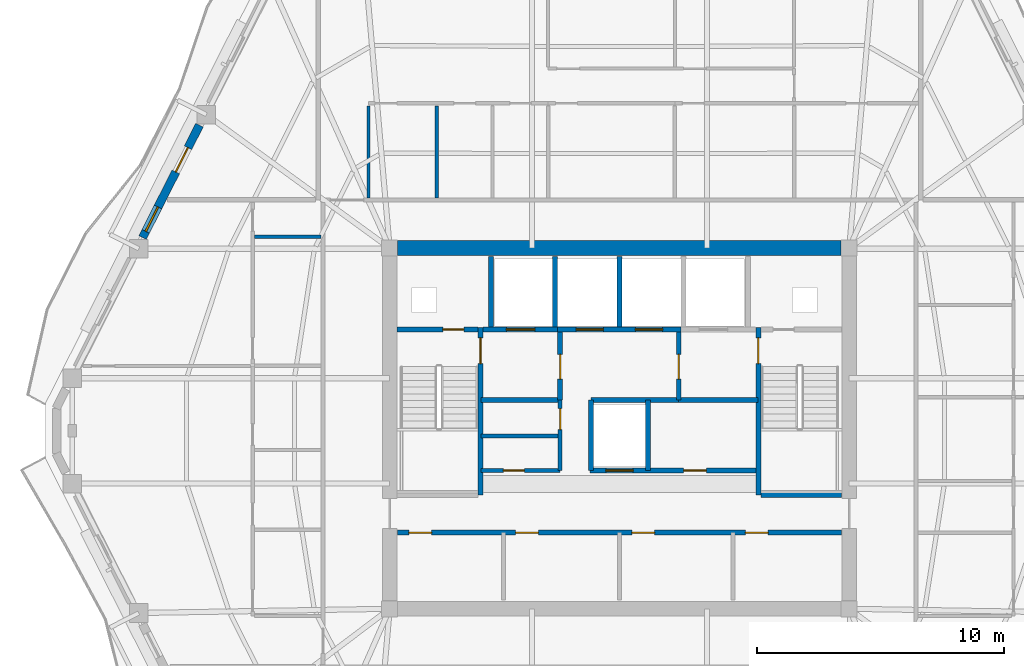
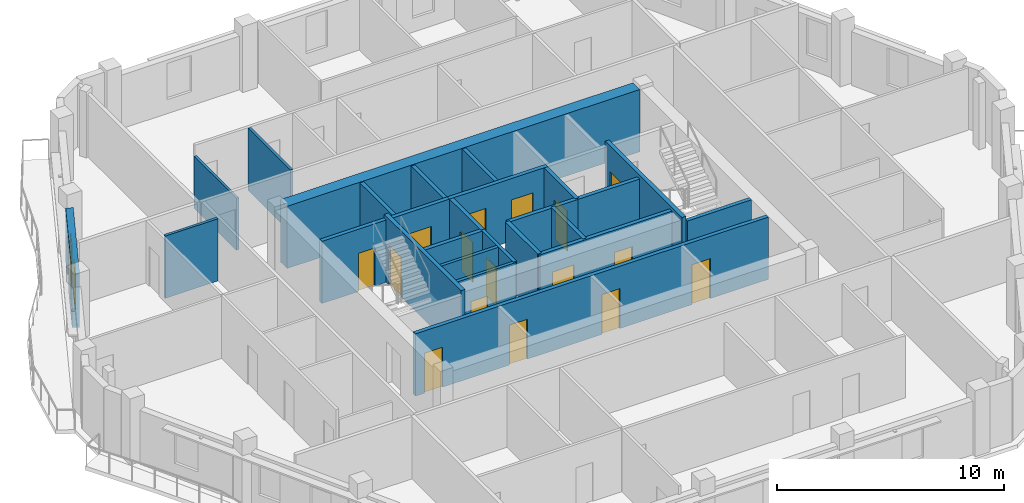
# One storey, part 5 of 12: 26 walls, 17 doors, 1 window, 18 openings.
"""IFC4 building model written with IfcOpenShell, lengths in metres."""

from ifc_helpers import new_model, si_unit, direction, frame, frame_2d, origin, place, context, subcontext, project, spatial, rectangle, extrude, material, layer, layer_set, type_object, element, fill, save


model = new_model("IFC4")

# Units and contexts
model_context = context("Model", 3, precision=1e-05, world=origin(), true_north=direction((0.0, 1.0)))
body_context = subcontext(model_context, "Body", "Model", "MODEL_VIEW")
ifc_project = project(units=[si_unit("LENGTHUNIT", "METRE"), si_unit("AREAUNIT", "SQUARE_METRE"), si_unit("VOLUMEUNIT", "CUBIC_METRE"), si_unit("PLANEANGLEUNIT", "RADIAN"), si_unit("MASSUNIT", "GRAM", prefix="KILO")], contexts=[model_context])

# Site, building, storey
site_placement = place(None, origin())
site = spatial("IfcSite", under=ifc_project, at=site_placement, CompositionType="ELEMENT")
building_placement = place(site_placement, origin())
building = spatial("IfcBuilding", under=site, at=building_placement, Name="Cinnabar Lancet Tower", CompositionType="ELEMENT")
storey_placement = place(building_placement, frame((0.0, 0.0, 210.949951171875)))
storey = spatial("IfcBuildingStorey", under=building, at=storey_placement, Name="L56", CompositionType="ELEMENT", Elevation=210.949951171875)

# Wall, opening, door
ifc_material_1 = material(Name="Acoustic twin-stud gypsum partition", Category="gypsum")
ifc_layer_1 = layer(ifc_material_1, 0.159912109375)
ifc_layer_set_1 = layer_set([ifc_layer_1], Name="Acoustic twin-stud gypsum partition")
wall_type_1 = type_object("IfcWallType", Name="ARC-WL-CORR-160", PredefinedType="PARTITIONING", material=ifc_layer_set_1)
wall_1_placement = place(storey_placement, frame((26.800048828125, 24.199951171875, 0.0), z_axis=(0.0, 0.0, 1.0), x_axis=(1.0, 0.0, 0.0)))
wall_1 = element("IfcWall", 1, at=wall_1_placement, inside=storey, type_object=wall_type_1, Name="CW-REC5S-L56", PredefinedType="PARTITIONING", context=body_context, shape_type="SweptSolid", body=[
    extrude(rectangle(XDim=3.199951171875, YDim=0.159912109375, at=frame_2d((1.60009765625, 0.0))), origin(), (0.0, 0.0, 1.0), 3.35009765625),
])
opening_1_placement = place(wall_1_placement, frame((0.89990234375, 0.0, 0.0)))
opening_1 = element("IfcOpeningElement", 2, at=opening_1_placement, cuts=wall_1, Name="Opening PD-02", PredefinedType="OPENING", context=body_context, shape_type="SweptSolid", body=[
    extrude(rectangle(XDim=0.85009765625, YDim=2.050048828125, at=frame_2d((0.425048828125, 1.02490234375))), frame((0.0, 0.08984375, 0.0), z_axis=(0.0, -1.0, 0.0), x_axis=(1.0, 0.0, 0.0)), (0.0, 0.0, 1.0), 0.179931640625),
])
ifc_material_2 = material(Name="Fire-rated steel riser access door", Category="steel")
door_type_1 = type_object("IfcDoorType", Name="ARC-DR-RISER", OperationType="NOTDEFINED", PredefinedType="DOOR", material=ifc_material_2)
door_1_placement = place(opening_1_placement, origin())
door_1 = element("IfcDoor", 3, at=door_1_placement, inside=storey, type_object=door_type_1, Name="DR-L56-REC5S", OperationType="SINGLE_SWING_LEFT", OverallHeight=2.050048828125, OverallWidth=0.85009765625, PredefinedType="DOOR", context=body_context, shape_type="SweptSolid", body=[
    extrude(rectangle(XDim=0.85009765625, YDim=2.050048828125, at=frame_2d((0.425048828125, 1.02490234375))), frame((0.0, 0.02490234375, 0.0), z_axis=(0.0, -1.0, 0.0), x_axis=(1.0, 0.0, 0.0)), (0.0, 0.0, 1.0), 0.050048828125),
])
fill(opening_1, door_1)

wall_2_placement = place(storey_placement, frame((30.0, 24.199951171875, 0.0), z_axis=(0.0, 0.0, 1.0), x_axis=(0.0, 1.0, 0.0)))
wall_2 = element("IfcWall", 4, at=wall_2_placement, inside=storey, type_object=wall_type_1, Name="CW-REC5E-L56", PredefinedType="PARTITIONING", context=body_context, shape_type="SweptSolid", body=[
    extrude(rectangle(XDim=2.85009765625, YDim=0.159912109375, at=frame_2d((1.425048828125, 0.0))), origin(), (0.0, 0.0, 1.0), 3.35009765625),
])
opening_2_placement = place(wall_2_placement, frame((1.64990234375, 0.0, 0.0)))
opening_2 = element("IfcOpeningElement", 5, at=opening_2_placement, cuts=wall_2, Name="Opening PD-02", PredefinedType="OPENING", context=body_context, shape_type="SweptSolid", body=[
    extrude(rectangle(XDim=0.85009765625, YDim=2.050048828125, at=frame_2d((0.425048828125, 1.02490234375))), frame((0.0, 0.08984375, 0.0), z_axis=(0.0, -1.0, 0.0), x_axis=(1.0, 0.0, 0.0)), (0.0, 0.0, 1.0), 0.179931640625),
])
door_2_placement = place(opening_2_placement, origin())
door_2 = element("IfcDoor", 6, at=door_2_placement, inside=storey, type_object=door_type_1, Name="DR-L56-REC5N", OperationType="SINGLE_SWING_RIGHT", OverallHeight=2.050048828125, OverallWidth=0.85009765625, PredefinedType="DOOR", context=body_context, shape_type="SweptSolid", body=[
    extrude(rectangle(XDim=0.85009765625, YDim=2.050048828125, at=frame_2d((0.425048828125, 1.02490234375))), frame((0.0, 0.02490234375, 0.0), z_axis=(0.0, -1.0, 0.0), x_axis=(1.0, 0.0, 0.0)), (0.0, 0.0, 1.0), 0.050048828125),
])
fill(opening_2, door_2)

# Walls
wall_3_placement = place(storey_placement, frame((26.800048828125, 25.60009765625, 0.0), z_axis=(0.0, 0.0, 1.0), x_axis=(1.0, 0.0, 0.0)))
element("IfcWall", 7, at=wall_3_placement, inside=storey, type_object=wall_type_1, Name="CW-REC5HZ-L56", PredefinedType="PARTITIONING", context=body_context, shape_type="SweptSolid", body=[
    extrude(rectangle(XDim=3.199951171875, YDim=0.159912109375, at=frame_2d((1.60009765625, 0.0))), origin(), (0.0, 0.0, 1.0), 3.35009765625),
])
ifc_material_3 = material(Name="Autoclaved aerated concrete blockwork", Category="masonry")
ifc_layer_2 = layer(ifc_material_3, 0.199951171875)
ifc_layer_set_2 = layer_set([ifc_layer_2], Name="Autoclaved aerated concrete blockwork")
wall_type_2 = type_object("IfcWallType", Name="ARC-WL-SHAFT-200", PredefinedType="PLUMBINGWALL", material=ifc_layer_set_2)
wall_4_placement = place(storey_placement, frame((38.125, 23.199951171875, 0.0), z_axis=(0.0, 0.0, 1.0), x_axis=(1.0, 0.0, 0.0)))
element("IfcWall", 8, at=wall_4_placement, inside=storey, type_object=wall_type_2, Name="CW-ST2S-L56", PredefinedType="PLUMBINGWALL", context=body_context, shape_type="SweptSolid", body=[
    extrude(rectangle(XDim=3.27001953125, YDim=0.199951171875, at=frame_2d((1.635009765625, 0.0))), origin(), (0.0, 0.0, 1.0), 3.35009765625),
])

# Wall, opening, door
wall_5_placement = place(storey_placement, frame((23.405029296875, 29.89990234375, 0.0), z_axis=(0.0, 0.0, 1.0), x_axis=(1.0, 0.0, 0.0)))
wall_5 = element("IfcWall", 9, at=wall_5_placement, inside=storey, type_object=wall_type_2, Name="CW-NSH-W-L56", PredefinedType="PLUMBINGWALL", context=body_context, shape_type="SweptSolid", body=[
    extrude(rectangle(XDim=3.27001953125, YDim=0.199951171875, at=frame_2d((1.635009765625, 0.0))), origin(), (0.0, 0.0, 1.0), 3.35009765625),
])
opening_3_placement = place(wall_5_placement, frame((1.85009765625, 0.0, 0.0)))
opening_3 = element("IfcOpeningElement", 10, at=opening_3_placement, cuts=wall_5, Name="Opening PD-02", PredefinedType="OPENING", context=body_context, shape_type="SweptSolid", body=[
    extrude(rectangle(XDim=0.85009765625, YDim=2.050048828125, at=frame_2d((0.425048828125, 1.02490234375))), frame((0.0, 0.10986328125, 0.0), z_axis=(0.0, -1.0, 0.0), x_axis=(1.0, 0.0, 0.0)), (0.0, 0.0, 1.0), 0.219970703125),
])
door_3_placement = place(opening_3_placement, origin())
door_3 = element("IfcDoor", 11, at=door_3_placement, inside=storey, type_object=door_type_1, Name="L56 West Riser Access Door", OperationType="SINGLE_SWING_LEFT", OverallHeight=2.050048828125, OverallWidth=0.85009765625, PredefinedType="DOOR", context=body_context, shape_type="SweptSolid", body=[
    extrude(rectangle(XDim=0.85009765625, YDim=2.050048828125, at=frame_2d((0.425048828125, 1.02490234375))), frame((0.0, 0.02490234375, 0.0), z_axis=(0.0, -1.0, 0.0), x_axis=(1.0, 0.0, 0.0)), (0.0, 0.0, 1.0), 0.050048828125),
])
fill(opening_3, door_3)

wall_6_placement = place(storey_placement, frame((26.885009765625, 29.89990234375, 0.0), z_axis=(0.0, 0.0, 1.0), x_axis=(1.0, 0.0, 0.0)))
wall_6 = element("IfcWall", 12, at=wall_6_placement, inside=storey, type_object=wall_type_2, Name="CW-FL1-L56", PredefinedType="PLUMBINGWALL", context=body_context, shape_type="SweptSolid", body=[
    extrude(rectangle(XDim=3.014892578125, YDim=0.199951171875, at=frame_2d((1.50732421875, 0.0))), origin(), (0.0, 0.0, 1.0), 3.35009765625),
])
opening_4_placement = place(wall_6_placement, frame((0.93994140625, 0.0, 0.0)))
opening_4 = element("IfcOpeningElement", 13, at=opening_4_placement, cuts=wall_6, Name="Opening LD-02", PredefinedType="OPENING", context=body_context, shape_type="SweptSolid", body=[
    extrude(rectangle(XDim=1.14990234375, YDim=2.199951171875, at=frame_2d((0.574951171875, 1.10009765625))), frame((0.0, 0.10986328125, 0.0), z_axis=(0.0, -1.0, 0.0), x_axis=(1.0, 0.0, 0.0)), (0.0, 0.0, 1.0), 0.219970703125),
])
ifc_material_4 = material(Name="Fire-rated stainless steel firefighting lift landing door", Category="steel")
door_type_2 = type_object("IfcDoorType", Name="ARC-DR-LD-FIRE", OperationType="NOTDEFINED", PredefinedType="DOOR", material=ifc_material_4)
door_4_placement = place(opening_4_placement, origin())
door_4 = element("IfcDoor", 14, at=door_4_placement, inside=storey, type_object=door_type_2, Name="L56 Firefighting Lift FL-1 Landing Door", OperationType="DOUBLE_DOOR_SLIDING", OverallHeight=2.199951171875, OverallWidth=1.14990234375, PredefinedType="DOOR", context=body_context, shape_type="SweptSolid", body=[
    extrude(rectangle(XDim=1.14990234375, YDim=2.199951171875, at=frame_2d((0.574951171875, 1.10009765625))), frame((0.0, 0.02490234375, 0.0), z_axis=(0.0, -1.0, 0.0), x_axis=(1.0, 0.0, 0.0)), (0.0, 0.0, 1.0), 0.050048828125),
])
fill(opening_4, door_4)

# Wall, openings, doors
wall_7_placement = place(storey_placement, frame((29.89990234375, 29.89990234375, 0.0), z_axis=(0.0, 0.0, 1.0), x_axis=(1.0, 0.0, 0.0)))
wall_7 = element("IfcWall", 15, at=wall_7_placement, inside=storey, type_object=wall_type_2, Name="CW-PL78-L56", PredefinedType="PLUMBINGWALL", context=body_context, shape_type="SweptSolid", body=[
    extrude(rectangle(XDim=5.0, YDim=0.199951171875, at=frame_2d((2.5, 0.0))), origin(), (0.0, 0.0, 1.0), 3.35009765625),
])
opening_5_placement = place(wall_7_placement, frame((0.75, 0.0, 0.0)))
opening_5 = element("IfcOpeningElement", 16, at=opening_5_placement, cuts=wall_7, Name="Opening LD-01", PredefinedType="OPENING", context=body_context, shape_type="SweptSolid", body=[
    extrude(rectangle(XDim=1.10009765625, YDim=2.199951171875, at=frame_2d((0.550048828125, 1.10009765625))), frame((0.0, 0.10986328125, 0.0), z_axis=(0.0, -1.0, 0.0), x_axis=(1.0, 0.0, 0.0)), (0.0, 0.0, 1.0), 0.219970703125),
])
opening_6_placement = place(wall_7_placement, frame((3.14990234375, 0.0, 0.0)))
opening_6 = element("IfcOpeningElement", 17, at=opening_6_placement, cuts=wall_7, Name="Opening LD-01", PredefinedType="OPENING", context=body_context, shape_type="SweptSolid", body=[
    extrude(rectangle(XDim=1.10009765625, YDim=2.199951171875, at=frame_2d((0.550048828125, 1.10009765625))), frame((0.0, 0.10986328125, 0.0), z_axis=(0.0, -1.0, 0.0), x_axis=(1.0, 0.0, 0.0)), (0.0, 0.0, 1.0), 0.219970703125),
])
ifc_material_5 = material(Name="Brushed stainless steel sliding lift door", Category="steel")
door_type_3 = type_object("IfcDoorType", Name="ARC-DR-LD-PASS", OperationType="NOTDEFINED", PredefinedType="DOOR", material=ifc_material_5)
door_5_placement = place(opening_5_placement, origin())
door_5 = element("IfcDoor", 18, at=door_5_placement, inside=storey, type_object=door_type_3, Name="L56 Lift PL-7 Landing Door", OperationType="DOUBLE_DOOR_SLIDING", OverallHeight=2.199951171875, OverallWidth=1.10009765625, PredefinedType="DOOR", context=body_context, shape_type="SweptSolid", body=[
    extrude(rectangle(XDim=1.10009765625, YDim=2.199951171875, at=frame_2d((0.550048828125, 1.10009765625))), frame((0.0, 0.02490234375, 0.0), z_axis=(0.0, -1.0, 0.0), x_axis=(1.0, 0.0, 0.0)), (0.0, 0.0, 1.0), 0.050048828125),
])
fill(opening_5, door_5)
door_6_placement = place(opening_6_placement, origin())
door_6 = element("IfcDoor", 19, at=door_6_placement, inside=storey, type_object=door_type_3, Name="L56 Lift PL-8 Landing Door", OperationType="DOUBLE_DOOR_SLIDING", OverallHeight=2.199951171875, OverallWidth=1.10009765625, PredefinedType="DOOR", context=body_context, shape_type="SweptSolid", body=[
    extrude(rectangle(XDim=1.10009765625, YDim=2.199951171875, at=frame_2d((0.550048828125, 1.10009765625))), frame((0.0, 0.02490234375, 0.0), z_axis=(0.0, -1.0, 0.0), x_axis=(1.0, 0.0, 0.0)), (0.0, 0.0, 1.0), 0.050048828125),
])
fill(opening_6, door_6)

# Walls
for number, where, z_axis, x_axis, name in (
    (20, (27.199951171875, 30.0, 0.0), (0.0, 0.0, 1.0), (0.0, 1.0, 0.0), "CW-NSH-D1-L56"),
    (21, (29.800048828125, 30.0, 0.0), (0.0, 0.0, 1.0), (0.0, 1.0, 0.0), "CW-NSH-D2-L56"),
    (22, (32.39990234375, 30.0, 0.0), (0.0, 0.0, 1.0), (0.0, 1.0, 0.0), "CW-NSH-D3-L56"),
):
    element("IfcWall", number, at=place(storey_placement, frame(where, z_axis=z_axis, x_axis=x_axis)), inside=storey, type_object=wall_type_2, Name=name, PredefinedType="PLUMBINGWALL", context=body_context, shape_type="SweptSolid", body=[
        extrude(rectangle(XDim=2.85009765625, YDim=0.199951171875, at=frame_2d((1.425048828125, 0.0))), origin(), (0.0, 0.0, 1.0), 3.35009765625),
    ])

# Wall, opening, door
wall_8_placement = place(storey_placement, frame((30.0, 27.050048828125, 0.0), z_axis=(0.0, 0.0, 1.0), x_axis=(0.0, 1.0, 0.0)))
wall_8 = element("IfcWall", 23, at=wall_8_placement, inside=storey, type_object=wall_type_2, Name="CW-FF1E-L56", PredefinedType="PLUMBINGWALL", context=body_context, shape_type="SweptSolid", body=[
    extrude(rectangle(XDim=2.75, YDim=0.199951171875, at=frame_2d((1.375, 0.0))), origin(), (0.0, 0.0, 1.0), 3.35009765625),
])
opening_7_placement = place(wall_8_placement, frame((0.85009765625, 0.0, 0.0)))
opening_7 = element("IfcOpeningElement", 24, at=opening_7_placement, cuts=wall_8, Name="Opening FD-01", PredefinedType="OPENING", context=body_context, shape_type="SweptSolid", body=[
    extrude(rectangle(XDim=1.0, YDim=2.14990234375, at=frame_2d((0.5, 1.074951171875))), frame((0.0, 0.10986328125, 0.0), z_axis=(0.0, -1.0, 0.0), x_axis=(1.0, 0.0, 0.0)), (0.0, 0.0, 1.0), 0.219970703125),
])
ifc_material_6 = material(Name="Fire-rated timber-core lobby door", Category="wood")
door_type_4 = type_object("IfcDoorType", Name="ARC-DR-FFAL", OperationType="NOTDEFINED", PredefinedType="DOOR", material=ifc_material_6)
door_7_placement = place(opening_7_placement, origin())
door_7 = element("IfcDoor", 25, at=door_7_placement, inside=storey, type_object=door_type_4, Name="L56 FFAL-1 Lobby Fire Door", OperationType="SINGLE_SWING_RIGHT", OverallHeight=2.14990234375, OverallWidth=1.0, PredefinedType="DOOR", context=body_context, shape_type="SweptSolid", body=[
    extrude(rectangle(XDim=1.0, YDim=2.14990234375, at=frame_2d((0.5, 1.074951171875))), frame((0.0, 0.02490234375, 0.0), z_axis=(0.0, -1.0, 0.0), x_axis=(1.0, 0.0, 0.0)), (0.0, 0.0, 1.0), 0.050048828125),
])
fill(opening_7, door_7)

# Wall
wall_9_placement = place(storey_placement, frame((26.800048828125, 27.050048828125, 0.0), z_axis=(0.0, 0.0, 1.0), x_axis=(1.0, 0.0, 0.0)))
element("IfcWall", 26, at=wall_9_placement, inside=storey, type_object=wall_type_2, Name="CW-FF1S-L56", PredefinedType="PLUMBINGWALL", context=body_context, shape_type="SweptSolid", body=[
    extrude(rectangle(XDim=3.199951171875, YDim=0.199951171875, at=frame_2d((1.60009765625, 0.0))), origin(), (0.0, 0.0, 1.0), 3.35009765625),
])

# Wall, opening, door
wall_10_placement = place(storey_placement, frame((34.800048828125, 27.050048828125, 0.0), z_axis=(0.0, 0.0, 1.0), x_axis=(0.0, 1.0, 0.0)))
wall_10 = element("IfcWall", 27, at=wall_10_placement, inside=storey, type_object=wall_type_2, Name="CW-FF2W-L56", PredefinedType="PLUMBINGWALL", context=body_context, shape_type="SweptSolid", body=[
    extrude(rectangle(XDim=2.75, YDim=0.199951171875, at=frame_2d((1.375, 0.0))), origin(), (0.0, 0.0, 1.0), 3.35009765625),
])
opening_8_placement = place(wall_10_placement, frame((0.85009765625, 0.0, 0.0)))
opening_8 = element("IfcOpeningElement", 28, at=opening_8_placement, cuts=wall_10, Name="Opening FD-01", PredefinedType="OPENING", context=body_context, shape_type="SweptSolid", body=[
    extrude(rectangle(XDim=1.0, YDim=2.14990234375, at=frame_2d((0.5, 1.074951171875))), frame((0.0, 0.10986328125, 0.0), z_axis=(0.0, -1.0, 0.0), x_axis=(1.0, 0.0, 0.0)), (0.0, 0.0, 1.0), 0.219970703125),
])
door_8_placement = place(opening_8_placement, origin())
door_8 = element("IfcDoor", 29, at=door_8_placement, inside=storey, type_object=door_type_4, Name="L56 FFAL-2 Lobby Fire Door", OperationType="SINGLE_SWING_LEFT", OverallHeight=2.14990234375, OverallWidth=1.0, PredefinedType="DOOR", context=body_context, shape_type="SweptSolid", body=[
    extrude(rectangle(XDim=1.0, YDim=2.14990234375, at=frame_2d((0.5, 1.074951171875))), frame((0.0, 0.02490234375, 0.0), z_axis=(0.0, -1.0, 0.0), x_axis=(1.0, 0.0, 0.0)), (0.0, 0.0, 1.0), 0.050048828125),
])
fill(opening_8, door_8)

# Wall
wall_11_placement = place(storey_placement, frame((34.800048828125, 27.050048828125, 0.0), z_axis=(0.0, 0.0, 1.0), x_axis=(1.0, 0.0, 0.0)))
element("IfcWall", 30, at=wall_11_placement, inside=storey, type_object=wall_type_2, Name="CW-FF2S-L56", PredefinedType="PLUMBINGWALL", context=body_context, shape_type="SweptSolid", body=[
    extrude(rectangle(XDim=3.199951171875, YDim=0.199951171875, at=frame_2d((1.60009765625, 0.0))), origin(), (0.0, 0.0, 1.0), 3.35009765625),
])

# Wall, openings, doors
wall_12_placement = place(storey_placement, frame((31.199951171875, 24.199951171875, 0.0), z_axis=(0.0, 0.0, 1.0), x_axis=(1.0, 0.0, 0.0)))
wall_12 = element("IfcWall", 31, at=wall_12_placement, inside=storey, type_object=wall_type_2, Name="CW-PL96S-L56", PredefinedType="PLUMBINGWALL", context=body_context, shape_type="SweptSolid", body=[
    extrude(rectangle(XDim=6.800048828125, YDim=0.199951171875, at=frame_2d((3.39990234375, 0.0))), origin(), (0.0, 0.0, 1.0), 3.35009765625),
])
opening_9_placement = place(wall_12_placement, frame((0.64990234375, 0.0, 0.0)))
opening_9 = element("IfcOpeningElement", 32, at=opening_9_placement, cuts=wall_12, Name="Opening LD-01", PredefinedType="OPENING", context=body_context, shape_type="SweptSolid", body=[
    extrude(rectangle(XDim=1.10009765625, YDim=2.199951171875, at=frame_2d((0.550048828125, 1.10009765625))), frame((0.0, 0.10986328125, 0.0), z_axis=(0.0, -1.0, 0.0), x_axis=(1.0, 0.0, 0.0)), (0.0, 0.0, 1.0), 0.219970703125),
])
opening_10_placement = place(wall_12_placement, frame((3.800048828125, 0.0, 0.0)))
opening_10 = element("IfcOpeningElement", 33, at=opening_10_placement, cuts=wall_12, Name="Opening RD-01", PredefinedType="OPENING", context=body_context, shape_type="SweptSolid", body=[
    extrude(rectangle(XDim=0.919921875, YDim=2.14990234375, at=frame_2d((0.4599609375, 1.074951171875))), frame((0.0, 0.10986328125, 0.0), z_axis=(0.0, -1.0, 0.0), x_axis=(1.0, 0.0, 0.0)), (0.0, 0.0, 1.0), 0.219970703125),
])
door_9_placement = place(opening_9_placement, origin())
door_9 = element("IfcDoor", 34, at=door_9_placement, inside=storey, type_object=door_type_3, Name="L56 Lift PL-9 Landing Door", OperationType="DOUBLE_DOOR_SLIDING", OverallHeight=2.199951171875, OverallWidth=1.10009765625, PredefinedType="DOOR", context=body_context, shape_type="SweptSolid", body=[
    extrude(rectangle(XDim=1.10009765625, YDim=2.199951171875, at=frame_2d((0.550048828125, 1.10009765625))), frame((0.0, 0.02490234375, 0.0), z_axis=(0.0, -1.0, 0.0), x_axis=(1.0, 0.0, 0.0)), (0.0, 0.0, 1.0), 0.050048828125),
])
fill(opening_9, door_9)
ifc_material_7 = material(Name="Engineered timber bedroom door", Category="wood")
door_type_5 = type_object("IfcDoorType", Name="ARC-DR-ROOM", OperationType="NOTDEFINED", PredefinedType="DOOR", material=ifc_material_7)
door_10_placement = place(opening_10_placement, origin())
door_10 = element("IfcDoor", 35, at=door_10_placement, inside=storey, type_object=door_type_5, Name="DR-L56-REC6", OperationType="SINGLE_SWING_RIGHT", OverallHeight=2.14990234375, OverallWidth=0.919921875, PredefinedType="DOOR", context=body_context, shape_type="SweptSolid", body=[
    extrude(rectangle(XDim=0.919921875, YDim=2.14990234375, at=frame_2d((0.4599609375, 1.074951171875))), frame((0.0, 0.02490234375, 0.0), z_axis=(0.0, -1.0, 0.0), x_axis=(1.0, 0.0, 0.0)), (0.0, 0.0, 1.0), 0.050048828125),
])
fill(opening_10, door_10)

# Walls
for number, where, z_axis, x_axis, name in (
    (36, (31.25, 24.199951171875, 0.0), (0.0, 0.0, 1.0), (0.0, 1.0, 0.0), "CW-PL9W-L56"),
    (37, (33.550048828125, 24.199951171875, 0.0), (0.0, 0.0, 1.0), (0.0, 1.0, 0.0), "CW-PL9E-L56"),
):
    element("IfcWall", number, at=place(storey_placement, frame(where, z_axis=z_axis, x_axis=x_axis)), inside=storey, type_object=wall_type_2, Name=name, PredefinedType="PLUMBINGWALL", context=body_context, shape_type="SweptSolid", body=[
        extrude(rectangle(XDim=2.85009765625, YDim=0.199951171875, at=frame_2d((1.425048828125, 0.0))), origin(), (0.0, 0.0, 1.0), 3.35009765625),
    ])
wall_13_placement = place(storey_placement, frame((31.25, 27.050048828125, 0.0), z_axis=(0.0, 0.0, 1.0), x_axis=(1.0, 0.0, 0.0)))
element("IfcWall", 38, at=wall_13_placement, inside=storey, type_object=wall_type_2, Name="CW-PL96N-L56", PredefinedType="PLUMBINGWALL", context=body_context, shape_type="SweptSolid", body=[
    extrude(rectangle(XDim=3.550048828125, YDim=0.199951171875, at=frame_2d((1.77490234375, 0.0))), origin(), (0.0, 0.0, 1.0), 3.35009765625),
])

# Wall, openings, doors
wall_14_placement = place(storey_placement, frame((23.419921875, 21.679931640625, 0.0), z_axis=(0.0, 0.0, 1.0), x_axis=(1.0, 0.0, 0.0)))
wall_14 = element("IfcWall", 39, at=wall_14_placement, inside=storey, type_object=wall_type_2, Name="CW-SBANDN-L56", PredefinedType="PLUMBINGWALL", context=body_context, shape_type="SweptSolid", body=[
    extrude(rectangle(XDim=17.9599609375, YDim=0.199951171875, at=frame_2d((8.97998046875, 0.0))), origin(), (0.0, 0.0, 1.0), 3.35009765625),
])
opening_11_placement = place(wall_14_placement, frame((0.4599609375, 0.0, 0.0)))
opening_11 = element("IfcOpeningElement", 40, at=opening_11_placement, cuts=wall_14, Name="Opening RD-01", PredefinedType="OPENING", context=body_context, shape_type="SweptSolid", body=[
    extrude(rectangle(XDim=0.919921875, YDim=2.14990234375, at=frame_2d((0.4599609375, 1.074951171875))), frame((0.0, 0.10986328125, 0.0), z_axis=(0.0, -1.0, 0.0), x_axis=(1.0, 0.0, 0.0)), (0.0, 0.0, 1.0), 0.219970703125),
])
opening_12_placement = place(wall_14_placement, frame((4.780029296875, 0.0, 0.0)))
opening_12 = element("IfcOpeningElement", 41, at=opening_12_placement, cuts=wall_14, Name="Opening RD-01", PredefinedType="OPENING", context=body_context, shape_type="SweptSolid", body=[
    extrude(rectangle(XDim=0.919921875, YDim=2.14990234375, at=frame_2d((0.4599609375, 1.074951171875))), frame((0.0, 0.10986328125, 0.0), z_axis=(0.0, -1.0, 0.0), x_axis=(1.0, 0.0, 0.0)), (0.0, 0.0, 1.0), 0.219970703125),
])
opening_13_placement = place(wall_14_placement, frame((9.47998046875, 0.0, 0.0)))
opening_13 = element("IfcOpeningElement", 42, at=opening_13_placement, cuts=wall_14, Name="Opening RD-01", PredefinedType="OPENING", context=body_context, shape_type="SweptSolid", body=[
    extrude(rectangle(XDim=0.919921875, YDim=2.14990234375, at=frame_2d((0.4599609375, 1.074951171875))), frame((0.0, 0.10986328125, 0.0), z_axis=(0.0, -1.0, 0.0), x_axis=(1.0, 0.0, 0.0)), (0.0, 0.0, 1.0), 0.219970703125),
])
opening_14_placement = place(wall_14_placement, frame((14.080078125, 0.0, 0.0)))
opening_14 = element("IfcOpeningElement", 43, at=opening_14_placement, cuts=wall_14, Name="Opening RD-01", PredefinedType="OPENING", context=body_context, shape_type="SweptSolid", body=[
    extrude(rectangle(XDim=0.919921875, YDim=2.14990234375, at=frame_2d((0.4599609375, 1.074951171875))), frame((0.0, 0.10986328125, 0.0), z_axis=(0.0, -1.0, 0.0), x_axis=(1.0, 0.0, 0.0)), (0.0, 0.0, 1.0), 0.219970703125),
])
door_11_placement = place(opening_11_placement, origin())
door_11 = element("IfcDoor", 44, at=door_11_placement, inside=storey, type_object=door_type_5, Name="DR-L56-HREC1", OperationType="SINGLE_SWING_LEFT", OverallHeight=2.14990234375, OverallWidth=0.919921875, PredefinedType="DOOR", context=body_context, shape_type="SweptSolid", body=[
    extrude(rectangle(XDim=0.919921875, YDim=2.14990234375, at=frame_2d((0.4599609375, 1.074951171875))), frame((0.0, 0.02490234375, 0.0), z_axis=(0.0, -1.0, 0.0), x_axis=(1.0, 0.0, 0.0)), (0.0, 0.0, 1.0), 0.050048828125),
])
fill(opening_11, door_11)
door_12_placement = place(opening_12_placement, origin())
door_12 = element("IfcDoor", 45, at=door_12_placement, inside=storey, type_object=door_type_5, Name="DR-L56-HREC2", OperationType="SINGLE_SWING_RIGHT", OverallHeight=2.14990234375, OverallWidth=0.919921875, PredefinedType="DOOR", context=body_context, shape_type="SweptSolid", body=[
    extrude(rectangle(XDim=0.919921875, YDim=2.14990234375, at=frame_2d((0.4599609375, 1.074951171875))), frame((0.0, 0.02490234375, 0.0), z_axis=(0.0, -1.0, 0.0), x_axis=(1.0, 0.0, 0.0)), (0.0, 0.0, 1.0), 0.050048828125),
])
fill(opening_12, door_12)
door_13_placement = place(opening_13_placement, origin())
door_13 = element("IfcDoor", 46, at=door_13_placement, inside=storey, type_object=door_type_5, Name="DR-L56-HREC3", OperationType="SINGLE_SWING_LEFT", OverallHeight=2.14990234375, OverallWidth=0.919921875, PredefinedType="DOOR", context=body_context, shape_type="SweptSolid", body=[
    extrude(rectangle(XDim=0.919921875, YDim=2.14990234375, at=frame_2d((0.4599609375, 1.074951171875))), frame((0.0, 0.02490234375, 0.0), z_axis=(0.0, -1.0, 0.0), x_axis=(1.0, 0.0, 0.0)), (0.0, 0.0, 1.0), 0.050048828125),
])
fill(opening_13, door_13)
door_14_placement = place(opening_14_placement, origin())
door_14 = element("IfcDoor", 47, at=door_14_placement, inside=storey, type_object=door_type_5, Name="DR-L56-HREC4", OperationType="SINGLE_SWING_RIGHT", OverallHeight=2.14990234375, OverallWidth=0.919921875, PredefinedType="DOOR", context=body_context, shape_type="SweptSolid", body=[
    extrude(rectangle(XDim=0.919921875, YDim=2.14990234375, at=frame_2d((0.4599609375, 1.074951171875))), frame((0.0, 0.02490234375, 0.0), z_axis=(0.0, -1.0, 0.0), x_axis=(1.0, 0.0, 0.0)), (0.0, 0.0, 1.0), 0.050048828125),
])
fill(opening_14, door_14)

# Walls
ifc_material_8 = material(Name="Gypsum plasterboard stud partition", Category="gypsum")
ifc_layer_3 = layer(ifc_material_8, 0.125)
ifc_layer_set_3 = layer_set([ifc_layer_3], Name="Gypsum plasterboard stud partition")
wall_type_3 = type_object("IfcWallType", Name="ARC-WL-UNIT-125", PredefinedType="PARTITIONING", material=ifc_layer_set_3)
wall_15_placement = place(storey_placement, frame((22.25, 35.235107421875, 0.0), z_axis=(0.0, 0.0, 1.0), x_axis=(0.0, 1.0, 0.0)))
element("IfcWall", 48, at=wall_15_placement, inside=storey, type_object=wall_type_3, Name="UW-L56-N01-FOYE", PredefinedType="PARTITIONING", context=body_context, shape_type="SweptSolid", body=[
    extrude(rectangle(XDim=3.721923828125, YDim=0.125, at=frame_2d((1.86083984375, 0.0))), origin(), (0.0, 0.0, 1.0), 2.80712890625),
])
ifc_material_9 = material(Name="Moisture-resistant cement-board plumbing wall", Category="masonry")
ifc_layer_4 = layer(ifc_material_9, 0.139892578125)
ifc_layer_set_4 = layer_set([ifc_layer_4], Name="Moisture-resistant cement-board plumbing wall")
wall_type_4 = type_object("IfcWallType", Name="ARC-WL-WET-140", PredefinedType="PLUMBINGWALL", material=ifc_layer_set_4)
wall_16_placement = place(storey_placement, frame((25.010009765625, 35.235107421875, 0.0), z_axis=(0.0, 0.0, 1.0), x_axis=(0.0, 1.0, 0.0)))
element("IfcWall", 49, at=wall_16_placement, inside=storey, type_object=wall_type_4, Name="UW-L56-N01-KDV", PredefinedType="PLUMBINGWALL", context=body_context, shape_type="SweptSolid", body=[
    extrude(rectangle(XDim=3.721923828125, YDim=0.139892578125, at=frame_2d((1.86083984375, 0.0))), origin(), (0.0, 0.0, 1.0), 3.35009765625),
])
wall_17_placement = place(storey_placement, frame((17.635009765625, 33.66796875, 0.0), z_axis=(0.0, 0.0, 1.0), x_axis=(1.0, 0.0, 0.0)))
element("IfcWall", 50, at=wall_17_placement, inside=storey, type_object=wall_type_4, Name="UW-L56-W01-EWDV", PredefinedType="PLUMBINGWALL", context=body_context, shape_type="SweptSolid", body=[
    extrude(rectangle(XDim=2.679931640625, YDim=0.139892578125, at=frame_2d((1.33984375, 0.0))), origin(), (0.0, 0.0, 1.0), 3.35009765625),
])

# Wall, openings, door, window
ifc_material_10 = material(Name="Cinnabar red clay brick", Category="masonry")
ifc_layer_5 = layer(ifc_material_10, 0.340087890625)
ifc_layer_set_5 = layer_set([ifc_layer_5], Name="Cinnabar red clay brick")
wall_type_5 = type_object("IfcWallType", Name="ENV-WL-BRK-RED-340", PredefinedType="STANDARD", material=ifc_layer_set_5)
wall_18_placement = place(storey_placement, frame((15.39697265625, 38.173095703125, 0.0), z_axis=(0.0, 0.0, 1.0), x_axis=(-0.451444616922, -0.892299141461, 0.0)))
wall_18 = element("IfcWall", 51, at=wall_18_placement, inside=storey, type_object=wall_type_5, Name="L56 Face 5 Masonry Bay Wall 3", PredefinedType="STANDARD", context=body_context, shape_type="SweptSolid", body=[
    extrude(rectangle(XDim=5.094970703125, YDim=0.340087890625, at=frame_2d((2.54736328125, 0.0))), origin(), (0.0, 0.0, 1.0), 2.883056640625),
])
opening_15_placement = place(wall_18_placement, frame((1.01904296875, 0.0, 0.0)))
opening_15 = element("IfcOpeningElement", 52, at=opening_15_placement, cuts=wall_18, Name="Opening TD-01", PredefinedType="OPENING", context=body_context, shape_type="SweptSolid", body=[
    extrude(rectangle(XDim=1.10009765625, YDim=2.25, at=frame_2d((0.550048828125, 1.125))), frame((0.0, 0.179931640625, 0.0), z_axis=(0.0, -1.0, 0.0), x_axis=(1.0, 0.0, 0.0)), (0.0, 0.0, 1.0), 0.360107421875),
])
opening_16_placement = place(wall_18_placement, frame((3.7119140625, 0.0, 0.75)))
opening_16 = element("IfcOpeningElement", 53, at=opening_16_placement, cuts=wall_18, Name="Opening WN-04", PredefinedType="OPENING", context=body_context, shape_type="SweptSolid", body=[
    extrude(rectangle(XDim=1.10009765625, YDim=1.98291015625, at=frame_2d((0.550048828125, 0.991455078125))), frame((0.0, 0.179931640625, 0.0), z_axis=(0.0, -1.0, 0.0), x_axis=(1.0, 0.0, 0.0)), (0.0, 0.0, 1.0), 0.360107421875),
])
ifc_material_11 = material(Name="Thermally broken low-E glazed balcony terrace door", Category="wood")
door_type_6 = type_object("IfcDoorType", Name="ARC-DR-BALC", OperationType="NOTDEFINED", PredefinedType="DOOR", material=ifc_material_11)
door_15_placement = place(opening_15_placement, origin())
door_15 = element("IfcDoor", 54, at=door_15_placement, inside=storey, type_object=door_type_6, Name="L56 Face 5 Glazed Terrace Door", OperationType="SINGLE_SWING_LEFT", OverallHeight=2.25, OverallWidth=1.10009765625, PredefinedType="DOOR", context=body_context, shape_type="SweptSolid", body=[
    extrude(rectangle(XDim=1.10009765625, YDim=2.25, at=frame_2d((0.550048828125, 1.125))), frame((0.0, 0.02490234375, 0.0), z_axis=(0.0, -1.0, 0.0), x_axis=(1.0, 0.0, 0.0)), (0.0, 0.0, 1.0), 0.050048828125),
])
fill(opening_15, door_15)
ifc_material_12 = material(Name="Thermally broken bronze-anodized aluminium tall lancet window", Category="aluminium")
window_type = type_object("IfcWindowType", Name="ENV-WN-LANCET-1100", PartitioningType="SINGLE_PANEL", PredefinedType="WINDOW", material=ifc_material_12)
window_placement = place(opening_16_placement, origin())
window = element("IfcWindow", 55, at=window_placement, inside=storey, type_object=window_type, Name="L56 Split-Bay Gothic Lancet Window 195", OverallHeight=1.98291015625, OverallWidth=1.10009765625, PartitioningType="SINGLE_PANEL", PredefinedType="WINDOW", context=body_context, shape_type="SweptSolid", body=[
    extrude(rectangle(XDim=1.10009765625, YDim=1.98291015625, at=frame_2d((0.550048828125, 0.991455078125))), frame((0.0, 0.030029296875, 0.0), z_axis=(0.0, -1.0, 0.0), x_axis=(1.0, 0.0, 0.0)), (0.0, 0.0, 1.0), 0.06005859375),
])
fill(opening_16, window)

# Wall
ifc_material_13 = material(Name="Concrete C60/75", Category="concrete")
ifc_layer_6 = layer(ifc_material_13, 0.60009765625)
ifc_layer_set_6 = layer_set([ifc_layer_6], Name="Concrete C60/75")
wall_type_6 = type_object("IfcWallType", Name="STR-WL-CORE-600", PredefinedType="SHEAR", material=ifc_layer_set_6)
wall_19_placement = place(storey_placement, frame((23.425048828125, 33.199951171875, 0.0), z_axis=(0.0, 0.0, 1.0), x_axis=(1.0, 0.0, 0.0)))
element("IfcWall", 56, at=wall_19_placement, inside=storey, type_object=wall_type_6, Name="L56 Core Shear Wall N", PredefinedType="SHEAR", context=body_context, shape_type="SweptSolid", body=[
    extrude(rectangle(XDim=17.949951171875, YDim=0.60009765625, at=frame_2d((8.97509765625, 0.0))), origin(), (0.0, 0.0, 1.0), 3.35009765625),
])

# Wall, opening, door
ifc_material_14 = material(Name="Concrete C50/60", Category="concrete")
ifc_layer_7 = layer(ifc_material_14, 0.199951171875)
ifc_layer_set_7 = layer_set([ifc_layer_7], Name="Concrete C50/60")
wall_type_7 = type_object("IfcWallType", Name="STR-WL-STAIR-200", PredefinedType="SHEAR", material=ifc_layer_set_7)
wall_20_placement = place(storey_placement, frame((26.780029296875, 23.199951171875, 0.0), z_axis=(0.0, 0.0, 1.0), x_axis=(0.0, 1.0, 0.0)))
wall_20 = element("IfcWall", 57, at=wall_20_placement, inside=storey, type_object=wall_type_7, Name="L56 Stair ST-1 Structural Enclosure Wall", PredefinedType="SHEAR", context=body_context, shape_type="SweptSolid", body=[
    extrude(rectangle(XDim=6.780029296875, YDim=0.199951171875, at=frame_2d((3.39013671875, 0.0))), origin(), (0.0, 0.0, 1.0), 3.550048828125),
])
opening_17_placement = place(wall_20_placement, frame((5.320068359375, 0.0, 0.0)))
opening_17 = element("IfcOpeningElement", 58, at=opening_17_placement, cuts=wall_20, Name="Opening SD-01", PredefinedType="OPENING", context=body_context, shape_type="SweptSolid", body=[
    extrude(rectangle(XDim=1.050048828125, YDim=2.14990234375, at=frame_2d((0.52490234375, 1.074951171875))), frame((0.0, 0.10986328125, 0.0), z_axis=(0.0, -1.0, 0.0), x_axis=(1.0, 0.0, 0.0)), (0.0, 0.0, 1.0), 0.219970703125),
])
ifc_material_15 = material(Name="Fire-rated steel stair exit door", Category="steel")
door_type_7 = type_object("IfcDoorType", Name="ARC-DR-STAIR", OperationType="NOTDEFINED", PredefinedType="DOOR", material=ifc_material_15)
door_16_placement = place(opening_17_placement, origin())
door_16 = element("IfcDoor", 59, at=door_16_placement, inside=storey, type_object=door_type_7, Name="L56 Stair ST-1 Fire Door", OperationType="SINGLE_SWING_LEFT", OverallHeight=2.14990234375, OverallWidth=1.050048828125, PredefinedType="DOOR", context=body_context, shape_type="SweptSolid", body=[
    extrude(rectangle(XDim=1.050048828125, YDim=2.14990234375, at=frame_2d((0.52490234375, 1.074951171875))), frame((0.0, 0.02490234375, 0.0), z_axis=(0.0, -1.0, 0.0), x_axis=(1.0, 0.0, 0.0)), (0.0, 0.0, 1.0), 0.050048828125),
])
fill(opening_17, door_16)

wall_21_placement = place(storey_placement, frame((38.02001953125, 23.199951171875, 0.0), z_axis=(0.0, 0.0, 1.0), x_axis=(0.0, 1.0, 0.0)))
wall_21 = element("IfcWall", 60, at=wall_21_placement, inside=storey, type_object=wall_type_7, Name="L56 Stair ST-2 Structural Enclosure Wall", PredefinedType="SHEAR", context=body_context, shape_type="SweptSolid", body=[
    extrude(rectangle(XDim=6.780029296875, YDim=0.199951171875, at=frame_2d((3.39013671875, 0.0))), origin(), (0.0, 0.0, 1.0), 3.550048828125),
])
opening_18_placement = place(wall_21_placement, frame((5.320068359375, 0.0, 0.0)))
opening_18 = element("IfcOpeningElement", 61, at=opening_18_placement, cuts=wall_21, Name="Opening SD-01", PredefinedType="OPENING", context=body_context, shape_type="SweptSolid", body=[
    extrude(rectangle(XDim=1.050048828125, YDim=2.14990234375, at=frame_2d((0.52490234375, 1.074951171875))), frame((0.0, 0.10986328125, 0.0), z_axis=(0.0, -1.0, 0.0), x_axis=(1.0, 0.0, 0.0)), (0.0, 0.0, 1.0), 0.219970703125),
])
door_17_placement = place(opening_18_placement, origin())
door_17 = element("IfcDoor", 62, at=door_17_placement, inside=storey, type_object=door_type_7, Name="L56 Stair ST-2 Fire Door", OperationType="SINGLE_SWING_RIGHT", OverallHeight=2.14990234375, OverallWidth=1.050048828125, PredefinedType="DOOR", context=body_context, shape_type="SweptSolid", body=[
    extrude(rectangle(XDim=1.050048828125, YDim=2.14990234375, at=frame_2d((0.52490234375, 1.074951171875))), frame((0.0, 0.02490234375, 0.0), z_axis=(0.0, -1.0, 0.0), x_axis=(1.0, 0.0, 0.0)), (0.0, 0.0, 1.0), 0.050048828125),
])
fill(opening_18, door_17)

save(model, "model.ifc")
